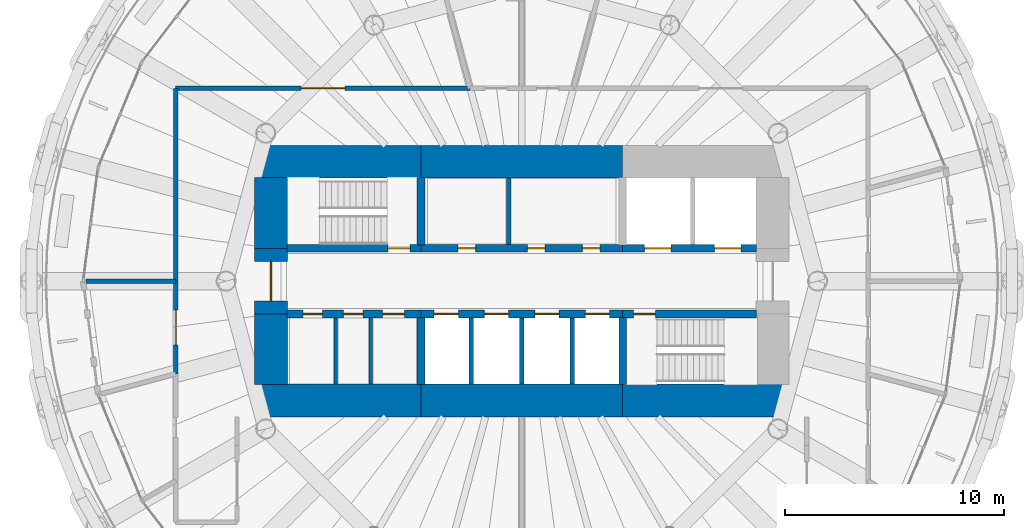
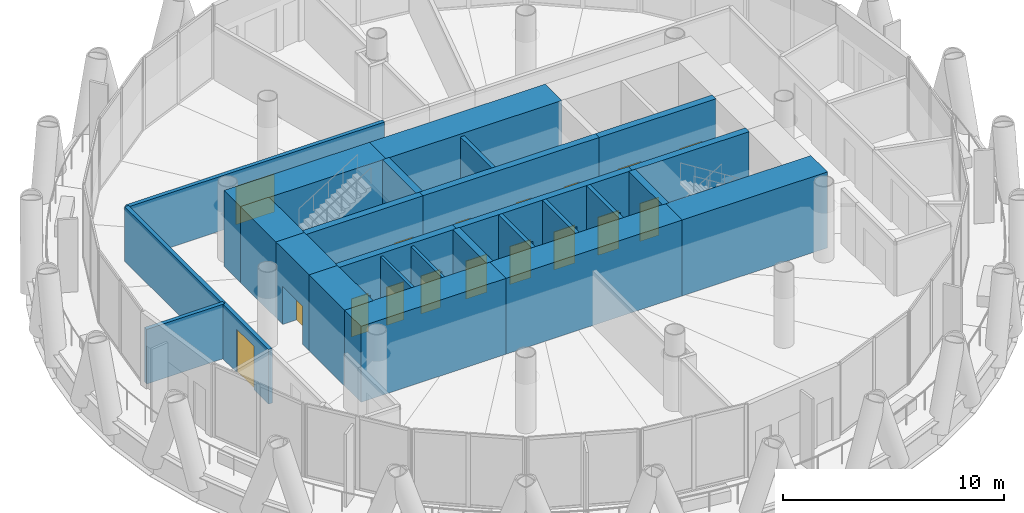
# One storey, part 9 of 14: 27 walls, 17 doors, 17 openings.
"""IFC4 building model written with IfcOpenShell, lengths in metres."""

from ifc_helpers import new_model, si_unit, direction, frame, frame_2d, origin, place, context, subcontext, project, spatial, rectangle, extrude, material, layer, layer_set, type_object, element, fill, save


model = new_model("IFC4")

# Units and contexts
model_context = context("Model", 3, precision=1e-05, world=origin(), true_north=direction((0.0, 1.0)))
body_context = subcontext(model_context, "Body", "Model", "MODEL_VIEW")
ifc_project = project(units=[si_unit("LENGTHUNIT", "METRE"), si_unit("AREAUNIT", "SQUARE_METRE"), si_unit("VOLUMEUNIT", "CUBIC_METRE"), si_unit("PLANEANGLEUNIT", "RADIAN"), si_unit("MASSUNIT", "GRAM", prefix="KILO")], contexts=[model_context])

# Site, building, storey
site_placement = place(None, origin())
site = spatial("IfcSite", under=ifc_project, at=site_placement, CompositionType="ELEMENT")
building_placement = place(site_placement, origin())
building = spatial("IfcBuilding", under=site, at=building_placement, Name="Qaws Media Tower", CompositionType="ELEMENT")
storey_placement = place(building_placement, frame((0.0, 0.0, 240.199951171875)))
storey = spatial("IfcBuildingStorey", under=building, at=storey_placement, Name="L55", CompositionType="ELEMENT", Elevation=240.199951171875)

# Wall, opening, door
ifc_material_1 = material(Name="Concrete C60/75", Category="concrete")
ifc_layer_1 = layer(ifc_material_1, 0.35009765625)
ifc_layer_set_1 = layer_set([ifc_layer_1], Name="Core inner wall 350")
wall_type_1 = type_object("IfcWallType", Name="Core inner wall 350", PredefinedType="SHEAR", material=ifc_layer_set_1)
wall_1_placement = place(storey_placement, frame((49.280029296875, 51.5, 0.0), z_axis=(0.0, 0.0, 1.0), x_axis=(1.0, 0.0, 0.0)))
wall_1 = element("IfcWall", 1, at=wall_1_placement, inside=storey, type_object=wall_type_1, Name="W301 SW5 core wall SPNW L55", PredefinedType="SHEAR", context=body_context, shape_type="SweptSolid", body=[
    extrude(rectangle(XDim=6.119873046875, YDim=0.35009765625, at=frame_2d((3.06005859375, 0.0))), origin(), (0.0, 0.0, 1.0), 4.199951171875),
])
opening_1_placement = place(wall_1_placement, frame((4.6201171875, 0.0, 0.0)))
opening_1 = element("IfcOpeningElement", 2, at=opening_1_placement, cuts=wall_1, Name="Opening D1", PredefinedType="OPENING", context=body_context, shape_type="SweptSolid", body=[
    extrude(rectangle(XDim=1.0, YDim=2.10009765625, at=frame_2d((0.5, 1.050048828125))), frame((0.0, 0.18505859375, 0.0), z_axis=(0.0, -1.0, 0.0), x_axis=(1.0, 0.0, 0.0)), (0.0, 0.0, 1.0), 0.3701171875),
])
ifc_material_2 = material(Name="Steel, fire rated", Category="steel")
door_type_1 = type_object("IfcDoorType", Name="Stair door 1000 FD120", OperationType="SINGLE_SWING_LEFT", PredefinedType="DOOR", material=ifc_material_2)
door_1_placement = place(opening_1_placement, origin())
door_1 = element("IfcDoor", 3, at=door_1_placement, inside=storey, type_object=door_type_1, Name="D1 stair S1 door L55 in wall W301", OperationType="SINGLE_SWING_LEFT", OverallHeight=2.10009765625, OverallWidth=1.0, PredefinedType="DOOR", context=body_context, shape_type="SweptSolid", body=[
    extrude(rectangle(XDim=1.0, YDim=2.10009765625, at=frame_2d((0.5, 1.050048828125))), frame((0.0, 0.02490234375, 0.0), z_axis=(0.0, -1.0, 0.0), x_axis=(1.0, 0.0, 0.0)), (0.0, 0.0, 1.0), 0.050048828125),
])
fill(opening_1, door_1)

# Wall, openings, doors
wall_2_placement = place(storey_placement, frame((55.39990234375, 51.5, 0.0), z_axis=(0.0, 0.0, 1.0), x_axis=(1.0, 0.0, 0.0)))
wall_2 = element("IfcWall", 4, at=wall_2_placement, inside=storey, type_object=wall_type_1, Name="W304 SW5 core wall SPN L55", PredefinedType="SHEAR", context=body_context, shape_type="SweptSolid", body=[
    extrude(rectangle(XDim=9.2001953125, YDim=0.35009765625, at=frame_2d((4.60009765625, 0.0))), origin(), (0.0, 0.0, 1.0), 4.199951171875),
])
opening_2_placement = place(wall_2_placement, frame((1.685791015625, 0.0, 0.0)))
opening_2 = element("IfcOpeningElement", 5, at=opening_2_placement, cuts=wall_2, Name="Opening D23", PredefinedType="OPENING", context=body_context, shape_type="SweptSolid", body=[
    extrude(rectangle(XDim=0.800048828125, YDim=2.10009765625, at=frame_2d((0.39990234375, 1.050048828125))), frame((0.0, 0.18505859375, 0.0), z_axis=(0.0, -1.0, 0.0), x_axis=(1.0, 0.0, 0.0)), (0.0, 0.0, 1.0), 0.3701171875),
])
opening_3_placement = place(wall_2_placement, frame((4.853759765625, 0.0, 0.0)))
opening_3 = element("IfcOpeningElement", 6, at=opening_3_placement, cuts=wall_2, Name="Opening D23", PredefinedType="OPENING", context=body_context, shape_type="SweptSolid", body=[
    extrude(rectangle(XDim=0.800048828125, YDim=2.10009765625, at=frame_2d((0.39990234375, 1.050048828125))), frame((0.0, 0.18505859375, 0.0), z_axis=(0.0, -1.0, 0.0), x_axis=(1.0, 0.0, 0.0)), (0.0, 0.0, 1.0), 0.3701171875),
])
opening_4_placement = place(wall_2_placement, frame((7.367919921875, 0.0, 0.0)))
opening_4 = element("IfcOpeningElement", 7, at=opening_4_placement, cuts=wall_2, Name="Opening D23", PredefinedType="OPENING", context=body_context, shape_type="SweptSolid", body=[
    extrude(rectangle(XDim=0.800048828125, YDim=2.10009765625, at=frame_2d((0.39990234375, 1.050048828125))), frame((0.0, 0.18505859375, 0.0), z_axis=(0.0, -1.0, 0.0), x_axis=(1.0, 0.0, 0.0)), (0.0, 0.0, 1.0), 0.3701171875),
])
ifc_material_3 = material(Name="Steel, fire rated", Category="steel")
door_type_2 = type_object("IfcDoorType", Name="Core room door 800x2100", OperationType="SINGLE_SWING_LEFT", PredefinedType="DOOR", material=ifc_material_3)
door_2_placement = place(opening_2_placement, origin())
door_2 = element("IfcDoor", 8, at=door_2_placement, inside=storey, type_object=door_type_2, Name="D23 Gents toilets door L55 in wall W304", OperationType="SINGLE_SWING_LEFT", OverallHeight=2.10009765625, OverallWidth=0.800048828125, PredefinedType="DOOR", context=body_context, shape_type="SweptSolid", body=[
    extrude(rectangle(XDim=0.800048828125, YDim=2.10009765625, at=frame_2d((0.39990234375, 1.050048828125))), frame((0.0, 0.02490234375, 0.0), z_axis=(0.0, -1.0, 0.0), x_axis=(1.0, 0.0, 0.0)), (0.0, 0.0, 1.0), 0.050048828125),
])
fill(opening_2, door_2)
door_3_placement = place(opening_3_placement, origin())
door_3 = element("IfcDoor", 9, at=door_3_placement, inside=storey, type_object=door_type_2, Name="D23 Ladies toilets door L55 2 in wall W304", OperationType="SINGLE_SWING_LEFT", OverallHeight=2.10009765625, OverallWidth=0.800048828125, PredefinedType="DOOR", context=body_context, shape_type="SweptSolid", body=[
    extrude(rectangle(XDim=0.800048828125, YDim=2.10009765625, at=frame_2d((0.39990234375, 1.050048828125))), frame((0.0, 0.02490234375, 0.0), z_axis=(0.0, -1.0, 0.0), x_axis=(1.0, 0.0, 0.0)), (0.0, 0.0, 1.0), 0.050048828125),
])
fill(opening_3, door_3)
door_4_placement = place(opening_4_placement, origin())
door_4 = element("IfcDoor", 10, at=door_4_placement, inside=storey, type_object=door_type_2, Name="D23 Ladies toilets door L55 3 in wall W304", OperationType="SINGLE_SWING_LEFT", OverallHeight=2.10009765625, OverallWidth=0.800048828125, PredefinedType="DOOR", context=body_context, shape_type="SweptSolid", body=[
    extrude(rectangle(XDim=0.800048828125, YDim=2.10009765625, at=frame_2d((0.39990234375, 1.050048828125))), frame((0.0, 0.02490234375, 0.0), z_axis=(0.0, -1.0, 0.0), x_axis=(1.0, 0.0, 0.0)), (0.0, 0.0, 1.0), 0.050048828125),
])
fill(opening_4, door_4)

wall_3_placement = place(storey_placement, frame((64.60009765625, 51.5, 0.0), z_axis=(0.0, 0.0, 1.0), x_axis=(1.0, 0.0, 0.0)))
wall_3 = element("IfcWall", 11, at=wall_3_placement, inside=storey, type_object=wall_type_1, Name="W308 SW5 core wall SPNE L55", PredefinedType="SHEAR", context=body_context, shape_type="SweptSolid", body=[
    extrude(rectangle(XDim=6.119873046875, YDim=0.35009765625, at=frame_2d((3.06005859375, 0.0))), origin(), (0.0, 0.0, 1.0), 4.199951171875),
])
opening_5_placement = place(wall_3_placement, frame((1.0, 0.0, 0.0)))
opening_5 = element("IfcOpeningElement", 12, at=opening_5_placement, cuts=wall_3, Name="Opening LD2", PredefinedType="OPENING", context=body_context, shape_type="SweptSolid", body=[
    extrude(rectangle(XDim=1.199951171875, YDim=2.10009765625, at=frame_2d((0.60009765625, 1.050048828125))), frame((0.0, 0.18505859375, 0.0), z_axis=(0.0, -1.0, 0.0), x_axis=(1.0, 0.0, 0.0)), (0.0, 0.0, 1.0), 0.3701171875),
])
opening_6_placement = place(wall_3_placement, frame((4.199951171875, 0.0, 0.0)))
opening_6 = element("IfcOpeningElement", 13, at=opening_6_placement, cuts=wall_3, Name="Opening LD2", PredefinedType="OPENING", context=body_context, shape_type="SweptSolid", body=[
    extrude(rectangle(XDim=1.199951171875, YDim=2.10009765625, at=frame_2d((0.60009765625, 1.050048828125))), frame((0.0, 0.18505859375, 0.0), z_axis=(0.0, -1.0, 0.0), x_axis=(1.0, 0.0, 0.0)), (0.0, 0.0, 1.0), 0.3701171875),
])
ifc_material_4 = material(Name="Steel, fire rated", Category="steel")
door_type_3 = type_object("IfcDoorType", Name="Lift landing door 1200", OperationType="SLIDING_TO_LEFT", PredefinedType="DOOR", material=ifc_material_4)
door_5_placement = place(opening_5_placement, origin())
door_5 = element("IfcDoor", 14, at=door_5_placement, inside=storey, type_object=door_type_3, Name="FL1 landing door L55 in wall W308", OperationType="SLIDING_TO_LEFT", OverallHeight=2.10009765625, OverallWidth=1.199951171875, PredefinedType="DOOR", context=body_context, shape_type="SweptSolid", body=[
    extrude(rectangle(XDim=1.199951171875, YDim=2.10009765625, at=frame_2d((0.60009765625, 1.050048828125))), frame((0.0, 0.02490234375, 0.0), z_axis=(0.0, -1.0, 0.0), x_axis=(1.0, 0.0, 0.0)), (0.0, 0.0, 1.0), 0.050048828125),
])
fill(opening_5, door_5)
door_6_placement = place(opening_6_placement, origin())
door_6 = element("IfcDoor", 15, at=door_6_placement, inside=storey, type_object=door_type_3, Name="FL2 landing door L55 in wall W308", OperationType="SLIDING_TO_LEFT", OverallHeight=2.10009765625, OverallWidth=1.199951171875, PredefinedType="DOOR", context=body_context, shape_type="SweptSolid", body=[
    extrude(rectangle(XDim=1.199951171875, YDim=2.10009765625, at=frame_2d((0.60009765625, 1.050048828125))), frame((0.0, 0.02490234375, 0.0), z_axis=(0.0, -1.0, 0.0), x_axis=(1.0, 0.0, 0.0)), (0.0, 0.0, 1.0), 0.050048828125),
])
fill(opening_6, door_6)

wall_4_placement = place(storey_placement, frame((49.280029296875, 48.5, 0.0), z_axis=(0.0, 0.0, 1.0), x_axis=(1.0, 0.0, 0.0)))
wall_4 = element("IfcWall", 16, at=wall_4_placement, inside=storey, type_object=wall_type_1, Name="W300 SW5 core wall SPSW L55", PredefinedType="SHEAR", context=body_context, shape_type="SweptSolid", body=[
    extrude(rectangle(XDim=6.119873046875, YDim=0.35009765625, at=frame_2d((3.06005859375, 0.0))), origin(), (0.0, 0.0, 1.0), 4.199951171875),
])
opening_7_placement = place(wall_4_placement, frame((0.719970703125, 0.0, 0.0)))
opening_7 = element("IfcOpeningElement", 17, at=opening_7_placement, cuts=wall_4, Name="Opening D3", PredefinedType="OPENING", context=body_context, shape_type="SweptSolid", body=[
    extrude(rectangle(XDim=0.89990234375, YDim=2.10009765625, at=frame_2d((0.449951171875, 1.050048828125))), frame((0.0, 0.18505859375, 0.0), z_axis=(0.0, -1.0, 0.0), x_axis=(1.0, 0.0, 0.0)), (0.0, 0.0, 1.0), 0.3701171875),
])
opening_8_placement = place(wall_4_placement, frame((2.570068359375, 0.0, 0.0)))
opening_8 = element("IfcOpeningElement", 18, at=opening_8_placement, cuts=wall_4, Name="Opening D25", PredefinedType="OPENING", context=body_context, shape_type="SweptSolid", body=[
    extrude(rectangle(XDim=0.89990234375, YDim=2.10009765625, at=frame_2d((0.449951171875, 1.050048828125))), frame((0.0, 0.18505859375, 0.0), z_axis=(0.0, -1.0, 0.0), x_axis=(1.0, 0.0, 0.0)), (0.0, 0.0, 1.0), 0.3701171875),
])
opening_9_placement = place(wall_4_placement, frame((4.3701171875, 0.0, 0.0)))
opening_9 = element("IfcOpeningElement", 19, at=opening_9_placement, cuts=wall_4, Name="Opening D4", PredefinedType="OPENING", context=body_context, shape_type="SweptSolid", body=[
    extrude(rectangle(XDim=1.0, YDim=2.10009765625, at=frame_2d((0.5, 1.050048828125))), frame((0.0, 0.18505859375, 0.0), z_axis=(0.0, -1.0, 0.0), x_axis=(1.0, 0.0, 0.0)), (0.0, 0.0, 1.0), 0.3701171875),
])
ifc_material_5 = material(Name="Timber veneered", Category="wood")
door_type_4 = type_object("IfcDoorType", Name="Accessible WC door 1000", OperationType="SLIDING_TO_LEFT", PredefinedType="DOOR", material=ifc_material_5)
door_7_placement = place(opening_9_placement, origin())
door_7 = element("IfcDoor", 20, at=door_7_placement, inside=storey, type_object=door_type_4, Name="D4 toilet door 3 L55 in wall W300", OperationType="SLIDING_TO_LEFT", OverallHeight=2.10009765625, OverallWidth=1.0, PredefinedType="DOOR", context=body_context, shape_type="SweptSolid", body=[
    extrude(rectangle(XDim=1.0, YDim=2.10009765625, at=frame_2d((0.5, 1.050048828125))), frame((0.0, 0.02490234375, 0.0), z_axis=(0.0, -1.0, 0.0), x_axis=(1.0, 0.0, 0.0)), (0.0, 0.0, 1.0), 0.050048828125),
])
fill(opening_9, door_7)
ifc_material_6 = material(Name="Steel, fire rated", Category="steel")
door_type_5 = type_object("IfcDoorType", Name="Core service door 900", OperationType="SINGLE_SWING_RIGHT", PredefinedType="DOOR", material=ifc_material_6)
door_8_placement = place(opening_8_placement, origin())
door_8 = element("IfcDoor", 21, at=door_8_placement, inside=storey, type_object=door_type_5, Name="D25 toilet door 2 L55 in wall W300", OperationType="SINGLE_SWING_RIGHT", OverallHeight=2.10009765625, OverallWidth=0.89990234375, PredefinedType="DOOR", context=body_context, shape_type="SweptSolid", body=[
    extrude(rectangle(XDim=0.89990234375, YDim=2.10009765625, at=frame_2d((0.449951171875, 1.050048828125))), frame((0.0, 0.02490234375, 0.0), z_axis=(0.0, -1.0, 0.0), x_axis=(1.0, 0.0, 0.0)), (0.0, 0.0, 1.0), 0.050048828125),
])
fill(opening_8, door_8)
ifc_material_7 = material(Name="Timber veneered", Category="wood")
door_type_6 = type_object("IfcDoorType", Name="Toilet door 900", OperationType="SINGLE_SWING_RIGHT", PredefinedType="DOOR", material=ifc_material_7)
door_9_placement = place(opening_7_placement, origin())
door_9 = element("IfcDoor", 22, at=door_9_placement, inside=storey, type_object=door_type_6, Name="D3 toilet door 1 L55 in wall W300", OperationType="SINGLE_SWING_RIGHT", OverallHeight=2.10009765625, OverallWidth=0.89990234375, PredefinedType="DOOR", context=body_context, shape_type="SweptSolid", body=[
    extrude(rectangle(XDim=0.89990234375, YDim=2.10009765625, at=frame_2d((0.449951171875, 1.050048828125))), frame((0.0, 0.02490234375, 0.0), z_axis=(0.0, -1.0, 0.0), x_axis=(1.0, 0.0, 0.0)), (0.0, 0.0, 1.0), 0.050048828125),
])
fill(opening_7, door_9)

wall_5_placement = place(storey_placement, frame((55.39990234375, 48.5, 0.0), z_axis=(0.0, 0.0, 1.0), x_axis=(1.0, 0.0, 0.0)))
wall_5 = element("IfcWall", 23, at=wall_5_placement, inside=storey, type_object=wall_type_1, Name="W303 SW5 core wall SPS L55", PredefinedType="SHEAR", context=body_context, shape_type="SweptSolid", body=[
    extrude(rectangle(XDim=9.2001953125, YDim=0.35009765625, at=frame_2d((4.60009765625, 0.0))), origin(), (0.0, 0.0, 1.0), 4.199951171875),
])
opening_10_placement = place(wall_5_placement, frame((0.60009765625, 0.0, 0.0)))
opening_10 = element("IfcOpeningElement", 24, at=opening_10_placement, cuts=wall_5, Name="Opening LD", PredefinedType="OPENING", context=body_context, shape_type="SweptSolid", body=[
    extrude(rectangle(XDim=1.10009765625, YDim=2.10009765625, at=frame_2d((0.550048828125, 1.050048828125))), frame((0.0, 0.18505859375, 0.0), z_axis=(0.0, -1.0, 0.0), x_axis=(1.0, 0.0, 0.0)), (0.0, 0.0, 1.0), 0.3701171875),
])
opening_11_placement = place(wall_5_placement, frame((2.89990234375, 0.0, 0.0)))
opening_11 = element("IfcOpeningElement", 25, at=opening_11_placement, cuts=wall_5, Name="Opening LD", PredefinedType="OPENING", context=body_context, shape_type="SweptSolid", body=[
    extrude(rectangle(XDim=1.10009765625, YDim=2.10009765625, at=frame_2d((0.550048828125, 1.050048828125))), frame((0.0, 0.18505859375, 0.0), z_axis=(0.0, -1.0, 0.0), x_axis=(1.0, 0.0, 0.0)), (0.0, 0.0, 1.0), 0.3701171875),
])
opening_12_placement = place(wall_5_placement, frame((5.199951171875, 0.0, 0.0)))
opening_12 = element("IfcOpeningElement", 26, at=opening_12_placement, cuts=wall_5, Name="Opening LD", PredefinedType="OPENING", context=body_context, shape_type="SweptSolid", body=[
    extrude(rectangle(XDim=1.10009765625, YDim=2.10009765625, at=frame_2d((0.550048828125, 1.050048828125))), frame((0.0, 0.18505859375, 0.0), z_axis=(0.0, -1.0, 0.0), x_axis=(1.0, 0.0, 0.0)), (0.0, 0.0, 1.0), 0.3701171875),
])
opening_13_placement = place(wall_5_placement, frame((7.5, 0.0, 0.0)))
opening_13 = element("IfcOpeningElement", 27, at=opening_13_placement, cuts=wall_5, Name="Opening LD", PredefinedType="OPENING", context=body_context, shape_type="SweptSolid", body=[
    extrude(rectangle(XDim=1.10009765625, YDim=2.10009765625, at=frame_2d((0.550048828125, 1.050048828125))), frame((0.0, 0.18505859375, 0.0), z_axis=(0.0, -1.0, 0.0), x_axis=(1.0, 0.0, 0.0)), (0.0, 0.0, 1.0), 0.3701171875),
])
ifc_material_8 = material(Name="Steel, fire rated", Category="steel")
door_type_7 = type_object("IfcDoorType", Name="Lift landing door 1100", OperationType="SLIDING_TO_LEFT", PredefinedType="DOOR", material=ifc_material_8)
door_10_placement = place(opening_10_placement, origin())
door_10 = element("IfcDoor", 28, at=door_10_placement, inside=storey, type_object=door_type_7, Name="P5 landing door L55 in wall W303", OperationType="SLIDING_TO_LEFT", OverallHeight=2.10009765625, OverallWidth=1.10009765625, PredefinedType="DOOR", context=body_context, shape_type="SweptSolid", body=[
    extrude(rectangle(XDim=1.10009765625, YDim=2.10009765625, at=frame_2d((0.550048828125, 1.050048828125))), frame((0.0, 0.02490234375, 0.0), z_axis=(0.0, -1.0, 0.0), x_axis=(1.0, 0.0, 0.0)), (0.0, 0.0, 1.0), 0.050048828125),
])
fill(opening_10, door_10)
door_11_placement = place(opening_11_placement, origin())
door_11 = element("IfcDoor", 29, at=door_11_placement, inside=storey, type_object=door_type_7, Name="P6 landing door L55 in wall W303", OperationType="SLIDING_TO_LEFT", OverallHeight=2.10009765625, OverallWidth=1.10009765625, PredefinedType="DOOR", context=body_context, shape_type="SweptSolid", body=[
    extrude(rectangle(XDim=1.10009765625, YDim=2.10009765625, at=frame_2d((0.550048828125, 1.050048828125))), frame((0.0, 0.02490234375, 0.0), z_axis=(0.0, -1.0, 0.0), x_axis=(1.0, 0.0, 0.0)), (0.0, 0.0, 1.0), 0.050048828125),
])
fill(opening_11, door_11)
door_12_placement = place(opening_12_placement, origin())
door_12 = element("IfcDoor", 30, at=door_12_placement, inside=storey, type_object=door_type_7, Name="P7 landing door L55 in wall W303", OperationType="SLIDING_TO_LEFT", OverallHeight=2.10009765625, OverallWidth=1.10009765625, PredefinedType="DOOR", context=body_context, shape_type="SweptSolid", body=[
    extrude(rectangle(XDim=1.10009765625, YDim=2.10009765625, at=frame_2d((0.550048828125, 1.050048828125))), frame((0.0, 0.02490234375, 0.0), z_axis=(0.0, -1.0, 0.0), x_axis=(1.0, 0.0, 0.0)), (0.0, 0.0, 1.0), 0.050048828125),
])
fill(opening_12, door_12)
door_13_placement = place(opening_13_placement, origin())
door_13 = element("IfcDoor", 31, at=door_13_placement, inside=storey, type_object=door_type_7, Name="P8 landing door L55 in wall W303", OperationType="SLIDING_TO_LEFT", OverallHeight=2.10009765625, OverallWidth=1.10009765625, PredefinedType="DOOR", context=body_context, shape_type="SweptSolid", body=[
    extrude(rectangle(XDim=1.10009765625, YDim=2.10009765625, at=frame_2d((0.550048828125, 1.050048828125))), frame((0.0, 0.02490234375, 0.0), z_axis=(0.0, -1.0, 0.0), x_axis=(1.0, 0.0, 0.0)), (0.0, 0.0, 1.0), 0.050048828125),
])
fill(opening_13, door_13)

# Wall, opening, door
wall_6_placement = place(storey_placement, frame((64.60009765625, 48.5, 0.0), z_axis=(0.0, 0.0, 1.0), x_axis=(1.0, 0.0, 0.0)))
wall_6 = element("IfcWall", 32, at=wall_6_placement, inside=storey, type_object=wall_type_1, Name="W307 SW5 core wall SPSE L55", PredefinedType="SHEAR", context=body_context, shape_type="SweptSolid", body=[
    extrude(rectangle(XDim=6.119873046875, YDim=0.35009765625, at=frame_2d((3.06005859375, 0.0))), origin(), (0.0, 0.0, 1.0), 4.199951171875),
])
opening_14_placement = place(wall_6_placement, frame((0.5, 0.0, 0.0)))
opening_14 = element("IfcOpeningElement", 33, at=opening_14_placement, cuts=wall_6, Name="Opening D1", PredefinedType="OPENING", context=body_context, shape_type="SweptSolid", body=[
    extrude(rectangle(XDim=1.0, YDim=2.10009765625, at=frame_2d((0.5, 1.050048828125))), frame((0.0, 0.18505859375, 0.0), z_axis=(0.0, -1.0, 0.0), x_axis=(1.0, 0.0, 0.0)), (0.0, 0.0, 1.0), 0.3701171875),
])
door_14_placement = place(opening_14_placement, origin())
door_14 = element("IfcDoor", 34, at=door_14_placement, inside=storey, type_object=door_type_1, Name="D1 stair S2 door L55 in wall W307", OperationType="SINGLE_SWING_LEFT", OverallHeight=2.10009765625, OverallWidth=1.0, PredefinedType="DOOR", context=body_context, shape_type="SweptSolid", body=[
    extrude(rectangle(XDim=1.0, YDim=2.10009765625, at=frame_2d((0.5, 1.050048828125))), frame((0.0, 0.02490234375, 0.0), z_axis=(0.0, -1.0, 0.0), x_axis=(1.0, 0.0, 0.0)), (0.0, 0.0, 1.0), 0.050048828125),
])
fill(opening_14, door_14)

# Walls
for number, where, z_axis, x_axis, name in (
    (35, (55.39990234375, 51.655029296875, 0.0), (0.0, 0.0, 1.0), (0.0, 1.0, 0.0), "W305 SW5 core wall XNW L55"),
    (36, (55.39990234375, 48.344970703125, 0.0), (0.0, 0.0, 1.0), (0.0, -1.0, 0.0), "W302 SW5 core wall XSW L55"),
    (37, (64.60009765625, 48.344970703125, 0.0), (0.0, 0.0, 1.0), (0.0, -1.0, 0.0), "W306 SW5 core wall XSE L55"),
):
    element("IfcWall", number, at=place(storey_placement, frame(where, z_axis=z_axis, x_axis=x_axis)), inside=storey, type_object=wall_type_1, Name=name, PredefinedType="SHEAR", context=body_context, shape_type="SweptSolid", body=[
        extrude(rectangle(XDim=3.06494140625, YDim=0.35009765625, at=frame_2d((1.532470703125, 0.0))), origin(), (0.0, 0.0, 1.0), 4.199951171875),
    ])
ifc_material_9 = material(Name="Concrete C60/75", Category="concrete")
ifc_layer_2 = layer(ifc_material_9, 1.5)
ifc_layer_set_2 = layer_set([ifc_layer_2], Name="Core wall 1500")
wall_type_2 = type_object("IfcWallType", Name="Core wall 1500", PredefinedType="SHEAR", material=ifc_layer_set_2)
wall_7_placement = place(storey_placement, frame((47.800048828125, 55.449951171875, 0.0), z_axis=(0.0, 0.0, 1.0), x_axis=(1.0, 0.0, 0.0)))
element("IfcWall", 38, at=wall_7_placement, inside=storey, type_object=wall_type_2, Name="W377 SW13 core wall NW L55", PredefinedType="SHEAR", context=body_context, shape_type="SweptSolid", body=[
    extrude(rectangle(XDim=7.599853515625, YDim=1.5, at=frame_2d((3.7998046875, 0.0))), origin(), (0.0, 0.0, 1.0), 4.199951171875),
])
wall_8_placement = place(storey_placement, frame((55.39990234375, 55.449951171875, 0.0), z_axis=(0.0, 0.0, 1.0), x_axis=(1.0, 0.0, 0.0)))
element("IfcWall", 39, at=wall_8_placement, inside=storey, type_object=wall_type_2, Name="W373 SW13 core wall N L55", PredefinedType="SHEAR", context=body_context, shape_type="SweptSolid", body=[
    extrude(rectangle(XDim=9.2001953125, YDim=1.5, at=frame_2d((4.60009765625, 0.0))), origin(), (0.0, 0.0, 1.0), 4.199951171875),
])
wall_9_placement = place(storey_placement, frame((47.800048828125, 44.550048828125, 0.0), z_axis=(0.0, 0.0, 1.0), x_axis=(1.0, 0.0, 0.0)))
element("IfcWall", 40, at=wall_9_placement, inside=storey, type_object=wall_type_2, Name="W376 SW13 core wall SW L55", PredefinedType="SHEAR", context=body_context, shape_type="SweptSolid", body=[
    extrude(rectangle(XDim=7.599853515625, YDim=1.5, at=frame_2d((3.7998046875, 0.0))), origin(), (0.0, 0.0, 1.0), 4.199951171875),
])
wall_10_placement = place(storey_placement, frame((55.39990234375, 44.550048828125, 0.0), z_axis=(0.0, 0.0, 1.0), x_axis=(1.0, 0.0, 0.0)))
element("IfcWall", 41, at=wall_10_placement, inside=storey, type_object=wall_type_2, Name="W372 SW13 core wall S L55", PredefinedType="SHEAR", context=body_context, shape_type="SweptSolid", body=[
    extrude(rectangle(XDim=9.2001953125, YDim=1.5, at=frame_2d((4.60009765625, 0.0))), origin(), (0.0, 0.0, 1.0), 4.199951171875),
])
wall_11_placement = place(storey_placement, frame((64.60009765625, 44.550048828125, 0.0), z_axis=(0.0, 0.0, 1.0), x_axis=(1.0, 0.0, 0.0)))
element("IfcWall", 42, at=wall_11_placement, inside=storey, type_object=wall_type_2, Name="W381 SW13 core wall SE L55", PredefinedType="SHEAR", context=body_context, shape_type="SweptSolid", body=[
    extrude(rectangle(XDim=7.599853515625, YDim=1.5, at=frame_2d((3.7998046875, 0.0))), origin(), (0.0, 0.0, 1.0), 4.199951171875),
])
wall_12_placement = place(storey_placement, frame((48.550048828125, 45.280029296875, 0.0), z_axis=(0.0, 0.0, 1.0), x_axis=(0.0, 1.0, 0.0)))
element("IfcWall", 43, at=wall_12_placement, inside=storey, type_object=wall_type_2, Name="W378 SW13 core wall WS L55", PredefinedType="SHEAR", context=body_context, shape_type="SweptSolid", body=[
    extrude(rectangle(XDim=3.219970703125, YDim=1.5, at=frame_2d((1.60986328125, 0.0))), origin(), (0.0, 0.0, 1.0), 4.199951171875),
])

# Wall, opening, door
wall_13_placement = place(storey_placement, frame((48.550048828125, 48.5, 0.0), z_axis=(0.0, 0.0, 1.0), x_axis=(0.0, 1.0, 0.0)))
wall_13 = element("IfcWall", 44, at=wall_13_placement, inside=storey, type_object=wall_type_2, Name="W379 SW13 core wall W L55", PredefinedType="SHEAR", context=body_context, shape_type="SweptSolid", body=[
    extrude(rectangle(XDim=3.0, YDim=1.5, at=frame_2d((1.5, 0.0))), origin(), (0.0, 0.0, 1.0), 4.199951171875),
])
opening_15_placement = place(wall_13_placement, frame((0.60009765625, 0.0, 0.0)))
opening_15 = element("IfcOpeningElement", 45, at=opening_15_placement, cuts=wall_13, Name="Opening D2", PredefinedType="OPENING", context=body_context, shape_type="SweptSolid", body=[
    extrude(rectangle(XDim=1.800048828125, YDim=2.10009765625, at=frame_2d((0.89990234375, 1.050048828125))), frame((0.0, 0.760009765625, 0.0), z_axis=(0.0, -1.0, 0.0), x_axis=(1.0, 0.0, 0.0)), (0.0, 0.0, 1.0), 1.52001953125),
])
ifc_material_10 = material(Name="Steel and glass, fire rated", Category="steel")
door_type_8 = type_object("IfcDoorType", Name="Lobby door pair 1800 FD60", OperationType="DOUBLE_DOOR_DOUBLE_SWING", PredefinedType="DOOR", material=ifc_material_10)
door_15_placement = place(opening_15_placement, origin())
door_15 = element("IfcDoor", 46, at=door_15_placement, inside=storey, type_object=door_type_8, Name="D2 core lobby door W L55 in wall W379", OperationType="DOUBLE_DOOR_DOUBLE_SWING", OverallHeight=2.10009765625, OverallWidth=1.800048828125, PredefinedType="DOOR", context=body_context, shape_type="SweptSolid", body=[
    extrude(rectangle(XDim=1.800048828125, YDim=2.10009765625, at=frame_2d((0.89990234375, 1.050048828125))), frame((0.0, 0.02490234375, 0.0), z_axis=(0.0, -1.0, 0.0), x_axis=(1.0, 0.0, 0.0)), (0.0, 0.0, 1.0), 0.050048828125),
])
fill(opening_15, door_15)

# Wall
wall_14_placement = place(storey_placement, frame((48.550048828125, 51.5, 0.0), z_axis=(0.0, 0.0, 1.0), x_axis=(0.0, 1.0, 0.0)))
element("IfcWall", 47, at=wall_14_placement, inside=storey, type_object=wall_type_2, Name="W380 SW13 core wall WN L55", PredefinedType="SHEAR", context=body_context, shape_type="SweptSolid", body=[
    extrude(rectangle(XDim=3.219970703125, YDim=1.5, at=frame_2d((1.60986328125, 0.0))), origin(), (0.0, 0.0, 1.0), 4.199951171875),
])

# Wall, opening, door
ifc_material_11 = material(Name="Gypsum board on galvanised metal studs, acoustic double stud, deflection head", Category="gypsum")
ifc_layer_3 = layer(ifc_material_11, 0.199951171875)
ifc_layer_set_3 = layer_set([ifc_layer_3], Name="Room partition 200")
wall_type_3 = type_object("IfcWallType", Name="Room partition 200", PredefinedType="PARTITIONING", material=ifc_layer_set_3)
wall_15_placement = place(storey_placement, frame((44.199951171875, 58.800048828125, 0.0), z_axis=(0.0, 0.0, 1.0), x_axis=(1.0, 0.0, 0.0)))
wall_15 = element("IfcWall", 48, at=wall_15_placement, inside=storey, type_object=wall_type_3, Name="W1649 IW3 partition L55", PredefinedType="PARTITIONING", context=body_context, shape_type="SweptSolid", body=[
    extrude(rectangle(XDim=13.442138671875, YDim=0.199951171875, at=frame_2d((6.72119140625, 0.0))), origin(), (0.0, 0.0, 1.0), 3.02001953125),
])
opening_16_placement = place(wall_15_placement, frame((5.720947265625, 0.0, 0.0)))
opening_16 = element("IfcOpeningElement", 49, at=opening_16_placement, cuts=wall_15, Name="Opening D6", PredefinedType="OPENING", context=body_context, shape_type="SweptSolid", body=[
    extrude(rectangle(XDim=2.0, YDim=2.10009765625, at=frame_2d((1.0, 1.050048828125))), frame((0.0, 0.10986328125, 0.0), z_axis=(0.0, -1.0, 0.0), x_axis=(1.0, 0.0, 0.0)), (0.0, 0.0, 1.0), 0.219970703125),
])
ifc_material_12 = material(Name="Steel, acoustic, fire rated", Category="steel")
door_type_9 = type_object("IfcDoorType", Name="Room door pair 2000", OperationType="DOUBLE_DOOR_DOUBLE_SWING", PredefinedType="DOOR", material=ifc_material_12)
door_16_placement = place(opening_16_placement, origin())
door_16 = element("IfcDoor", 50, at=door_16_placement, inside=storey, type_object=door_type_9, Name="D6 Tenant office door L55 in wall W1649", OperationType="DOUBLE_DOOR_DOUBLE_SWING", OverallHeight=2.10009765625, OverallWidth=2.0, PredefinedType="DOOR", context=body_context, shape_type="SweptSolid", body=[
    extrude(rectangle(XDim=2.0, YDim=2.10009765625, at=frame_2d((1.0, 1.050048828125))), frame((0.0, 0.02490234375, 0.0), z_axis=(0.0, -1.0, 0.0), x_axis=(1.0, 0.0, 0.0)), (0.0, 0.0, 1.0), 0.050048828125),
])
fill(opening_16, door_16)

wall_16_placement = place(storey_placement, frame((44.199951171875, 45.766357421875, 0.0), z_axis=(0.0, 0.0, 1.0), x_axis=(0.0, 1.0, 0.0)))
wall_16 = element("IfcWall", 51, at=wall_16_placement, inside=storey, type_object=wall_type_3, Name="W1646 IW3 partition L55", PredefinedType="PARTITIONING", context=body_context, shape_type="SweptSolid", body=[
    extrude(rectangle(XDim=4.233642578125, YDim=0.199951171875, at=frame_2d((2.11669921875, 0.0))), origin(), (0.0, 0.0, 1.0), 3.02001953125),
])
opening_17_placement = place(wall_16_placement, frame((1.31689453125, 0.0, 0.0)))
opening_17 = element("IfcOpeningElement", 52, at=opening_17_placement, cuts=wall_16, Name="Opening D16", PredefinedType="OPENING", context=body_context, shape_type="SweptSolid", body=[
    extrude(rectangle(XDim=1.60009765625, YDim=2.39990234375, at=frame_2d((0.800048828125, 1.199951171875))), frame((0.0, 0.10986328125, 0.0), z_axis=(0.0, -1.0, 0.0), x_axis=(1.0, 0.0, 0.0)), (0.0, 0.0, 1.0), 0.219970703125),
])
ifc_material_13 = material(Name="Glazed aluminium, fire rated", Category="aluminium")
door_type_10 = type_object("IfcDoorType", Name="Tenant entrance door pair 1600x2400", OperationType="DOUBLE_DOOR_DOUBLE_SWING", PredefinedType="DOOR", material=ifc_material_13)
door_17_placement = place(opening_17_placement, origin())
door_17 = element("IfcDoor", 53, at=door_17_placement, inside=storey, type_object=door_type_10, Name="D16 Tenant reception door L55 in wall W1646", OperationType="DOUBLE_DOOR_DOUBLE_SWING", OverallHeight=2.39990234375, OverallWidth=1.60009765625, PredefinedType="DOOR", context=body_context, shape_type="SweptSolid", body=[
    extrude(rectangle(XDim=1.60009765625, YDim=2.39990234375, at=frame_2d((0.800048828125, 1.199951171875))), frame((0.0, 0.02490234375, 0.0), z_axis=(0.0, -1.0, 0.0), x_axis=(1.0, 0.0, 0.0)), (0.0, 0.0, 1.0), 0.050048828125),
])
fill(opening_17, door_17)

# Walls
wall_17_placement = place(storey_placement, frame((44.199951171875, 50.0, 0.0), z_axis=(0.0, 0.0, 1.0), x_axis=(0.0, 1.0, 0.0)))
element("IfcWall", 54, at=wall_17_placement, inside=storey, type_object=wall_type_3, Name="W1648 IW3 partition L55", PredefinedType="PARTITIONING", context=body_context, shape_type="SweptSolid", body=[
    extrude(rectangle(XDim=8.800048828125, YDim=0.199951171875, at=frame_2d((4.39990234375, 0.0))), origin(), (0.0, 0.0, 1.0), 3.02001953125),
])
wall_18_placement = place(storey_placement, frame((44.199951171875, 50.0, 0.0), z_axis=(0.0, 0.0, 1.0), x_axis=(-1.0, 0.0, 0.0)))
element("IfcWall", 55, at=wall_18_placement, inside=storey, type_object=wall_type_3, Name="W1647 IW3 partition L55", PredefinedType="PARTITIONING", context=body_context, shape_type="SweptSolid", body=[
    extrude(rectangle(XDim=4.0849609375, YDim=0.199951171875, at=frame_2d((2.04248046875, 0.0))), origin(), (0.0, 0.0, 1.0), 3.02001953125),
])
wall_19_placement = place(storey_placement, frame((59.396484375, 51.675048828125, 0.0), z_axis=(0.0, 0.0, 1.0), x_axis=(0.0, 1.0, 0.0)))
element("IfcWall", 56, at=wall_19_placement, inside=storey, type_object=wall_type_3, Name="W1654 IW3 core room partition 1 L55", PredefinedType="PARTITIONING", context=body_context, shape_type="SweptSolid", body=[
    extrude(rectangle(XDim=3.02490234375, YDim=0.199951171875, at=frame_2d((1.512451171875, 0.0))), origin(), (0.0, 0.0, 1.0), 4.0400390625),
])
ifc_material_14 = material(Name="Fire-rated gypsum board shaft wall on galvanised metal studs, deflection head", Category="gypsum")
ifc_layer_4 = layer(ifc_material_14, 0.199951171875)
ifc_layer_set_4 = layer_set([ifc_layer_4], Name="Shaft wall 200")
wall_type_4 = type_object("IfcWallType", Name="Shaft wall 200", PredefinedType="PARTITIONING", material=ifc_layer_set_4)
for number, where, z_axis, x_axis, name in (
    (57, (57.699951171875, 45.300048828125, 0.0), (0.0, 0.0, 1.0), (0.0, 1.0, 0.0), "W1871 IW1 shaft wall S1 L55"),
    (58, (60.0, 45.300048828125, 0.0), (0.0, 0.0, 1.0), (0.0, 1.0, 0.0), "W1872 IW1 shaft wall S2 L55"),
    (59, (62.300048828125, 45.300048828125, 0.0), (0.0, 0.0, 1.0), (0.0, 1.0, 0.0), "W1873 IW1 shaft wall S3 L55"),
):
    element("IfcWall", number, at=place(storey_placement, frame(where, z_axis=z_axis, x_axis=x_axis)), inside=storey, type_object=wall_type_4, Name=name, PredefinedType="PARTITIONING", context=body_context, shape_type="SweptSolid", body=[
        extrude(rectangle(XDim=3.02490234375, YDim=0.199951171875, at=frame_2d((1.512451171875, 0.0))), origin(), (0.0, 0.0, 1.0), 4.199951171875),
    ])
ifc_material_15 = material(Name="Gypsum board on galvanised metal studs, deflection head", Category="gypsum")
ifc_layer_5 = layer(ifc_material_15, 0.14990234375)
ifc_layer_set_5 = layer_set([ifc_layer_5], Name="WC partition 150")
wall_type_5 = type_object("IfcWallType", Name="WC partition 150", PredefinedType="PARTITIONING", material=ifc_layer_set_5)
for number, where, z_axis, x_axis, name in (
    (60, (51.5, 45.300048828125, 0.0), (0.0, 0.0, 1.0), (0.0, 1.0, 0.0), "W1926 IW2 toilet partition 1 L55"),
    (61, (53.10009765625, 45.300048828125, 0.0), (0.0, 0.0, 1.0), (0.0, 1.0, 0.0), "W1927 IW2 toilet partition 2 L55"),
):
    element("IfcWall", number, at=place(storey_placement, frame(where, z_axis=z_axis, x_axis=x_axis)), inside=storey, type_object=wall_type_5, Name=name, PredefinedType="PARTITIONING", context=body_context, shape_type="SweptSolid", body=[
        extrude(rectangle(XDim=3.02490234375, YDim=0.14990234375, at=frame_2d((1.512451171875, 0.0))), origin(), (0.0, 0.0, 1.0), 4.0400390625),
    ])

save(model, "model.ifc")
